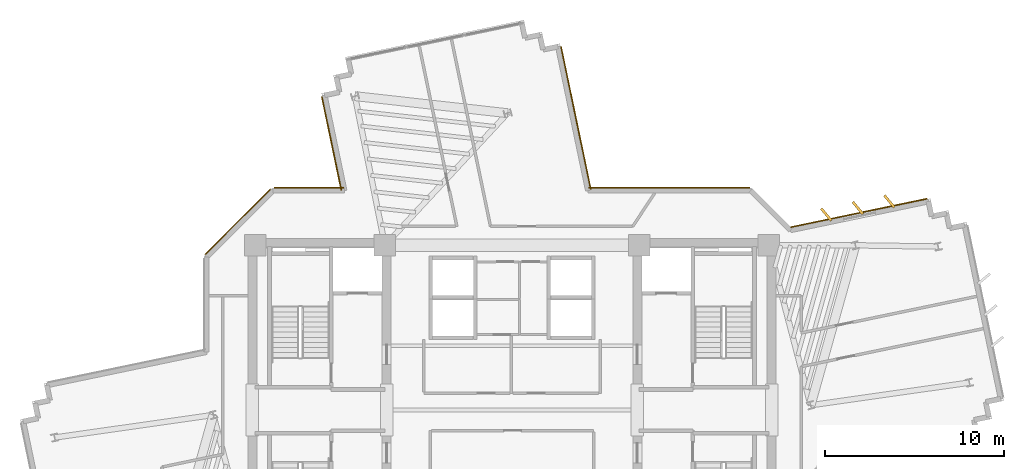
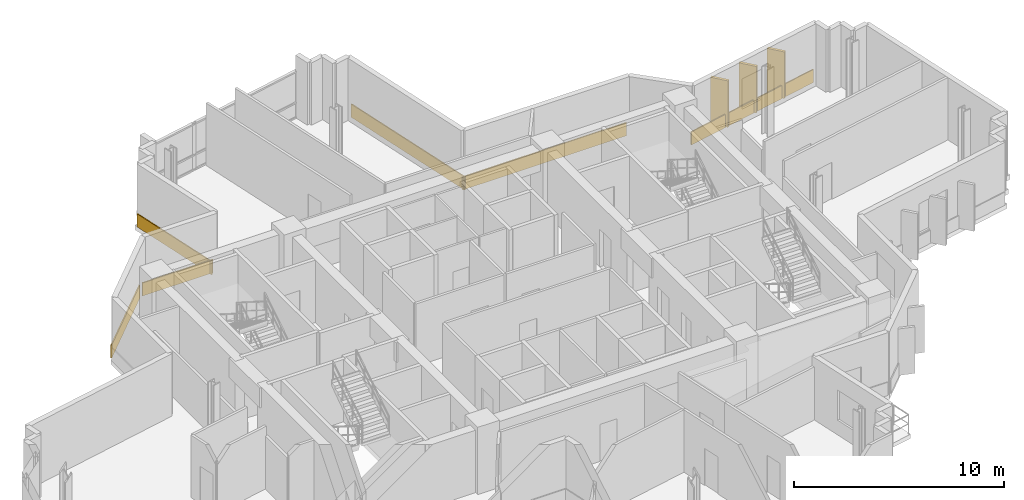
# One storey, part 14 of 14: 9 coverings.
"""IFC4 building model written with IfcOpenShell, lengths in metres."""

from ifc_helpers import new_model, si_unit, direction, frame, origin, origin_2d, place, context, subcontext, project, spatial, rectangle, extrude, source, transform, mapped, material, layer, layer_set, type_object, element, save


model = new_model("IFC4")

# Units and contexts
model_context = context("Model", 3, precision=1e-05, world=origin(), true_north=direction((0.0, 1.0)))
body_context = subcontext(model_context, "Body", "Model", "MODEL_VIEW")
ifc_project = project(units=[si_unit("LENGTHUNIT", "METRE"), si_unit("AREAUNIT", "SQUARE_METRE"), si_unit("VOLUMEUNIT", "CUBIC_METRE"), si_unit("PLANEANGLEUNIT", "RADIAN"), si_unit("MASSUNIT", "GRAM", prefix="KILO")], contexts=[model_context])

# Site, building, storey
site_placement = place(None, origin())
site = spatial("IfcSite", under=ifc_project, at=site_placement, CompositionType="ELEMENT")
building_placement = place(site_placement, origin())
building = spatial("IfcBuilding", under=site, at=building_placement, Name="Zahravan Cultural Tower", CompositionType="ELEMENT")
storey_placement = place(building_placement, frame((0.0, 0.0, 159.0)))
storey = spatial("IfcBuildingStorey", under=building, at=storey_placement, Name="L36", CompositionType="ELEMENT", Elevation=159.0)

# Coverings
ifc_material = material(Name="Terracotta ceramic cladding", Category="masonry")
ifc_layer = layer(ifc_material, 0.06005859375)
ifc_layer_set = layer_set([ifc_layer], Name="Terracotta ceramic cladding")
covering_type = type_object("IfcCoveringType", Name="COV-CLAD-TC60", PredefinedType="CLADDING", material=ifc_layer_set)
shared_shape_1 = source(origin(), body_context, "Body", "SweptSolid", [
    extrude(rectangle(XDim=5.157958984375, YDim=0.06005859375, at=origin_2d()), origin(), (0.0, 0.0, 1.0), 0.760009765625),
])
covering_1_placement = place(storey_placement, frame((20.682373046875, 37.517578125, 0.02001953125), z_axis=(0.0, 0.0, 1.0), x_axis=(0.707106781187, 0.707106781187, 0.0)))
element("IfcCovering", 1, at=covering_1_placement, inside=storey, type_object=covering_type, Name="L36 Terracotta Spandrel Cladding 39", PredefinedType="CLADDING", context=body_context, shape_type="MappedRepresentation", body=[
    mapped(shared_shape_1, transform((0.0, 0.0, 0.0), x_axis=(1.0, 0.0, 0.0), y_axis=(0.0, 1.0, 0.0), z_axis=(0.0, 0.0, 1.0), scale=1.0)),
])
shared_shape_2 = source(origin(), body_context, "Body", "SweptSolid", [
    extrude(rectangle(XDim=0.8798828125, YDim=0.139892578125, at=origin_2d()), origin(), (0.0, 0.0, 1.0), 2.699951171875),
])
for number, where, z_axis, x_axis, name in (
    (2, (53.55859375, 37.9248046875, 0.0498046875), (0.0, 0.0, 1.0), (-0.639841478951, 0.768506917219, 0.0), "L36 Herringbone Terracotta Fin 01"),
    (3, (55.32080078125, 38.292236328125, 0.0498046875), (0.0, 0.0, 1.0), (-0.639841478951, 0.768506917219, 0.0), "L36 Herringbone Terracotta Fin 02"),
    (4, (57.082763671875, 38.659912109375, 0.0498046875), (0.0, 0.0, 1.0), (-0.639841478951, 0.768506917219, 0.0), "L36 Herringbone Terracotta Fin 03"),
):
    element("IfcCovering", number, at=place(storey_placement, frame(where, z_axis=z_axis, x_axis=x_axis)), inside=storey, type_object=covering_type, Name=name, PredefinedType="CLADDING", context=body_context, shape_type="MappedRepresentation", body=[
        mapped(shared_shape_2, transform((0.0, 0.0, 0.0), x_axis=(1.0, 0.0, 0.0), y_axis=(0.0, 1.0, 0.0), z_axis=(0.0, 0.0, 1.0), scale=1.0)),
    ])
shared_shape_3 = source(origin(), body_context, "Body", "SweptSolid", [
    extrude(rectangle(XDim=7.781494140625, YDim=0.06005859375, at=origin_2d()), origin(), (0.0, 0.0, 1.0), 0.760009765625),
])
covering_2_placement = place(storey_placement, frame((55.37890625, 38.01318359375, 0.02001953125), z_axis=(0.0, 0.0, 1.0), x_axis=(0.978938711712, 0.204154350213, 0.0)))
element("IfcCovering", 5, at=covering_2_placement, inside=storey, type_object=covering_type, Name="L36 Terracotta Spandrel Cladding 01", PredefinedType="CLADDING", context=body_context, shape_type="MappedRepresentation", body=[
    mapped(shared_shape_3, transform((0.0, 0.0, 0.0), x_axis=(1.0, 0.0, 0.0), y_axis=(0.0, 1.0, 0.0), z_axis=(0.0, 0.0, 1.0), scale=1.0)),
])
shared_shape_4 = source(origin(), body_context, "Body", "SweptSolid", [
    extrude(rectangle(XDim=3.8818359375, YDim=0.06005859375, at=origin_2d()), origin(), (0.0, 0.0, 1.0), 0.760009765625),
])
covering_3_placement = place(storey_placement, frame((24.64892578125, 39.425048828125, 0.02001953125), z_axis=(0.0, 0.0, 1.0), x_axis=(1.0, 0.0, 0.0)))
element("IfcCovering", 6, at=covering_3_placement, inside=storey, type_object=covering_type, Name="L36 Terracotta Spandrel Cladding 40", PredefinedType="CLADDING", context=body_context, shape_type="MappedRepresentation", body=[
    mapped(shared_shape_4, transform((0.0, 0.0, 0.0), x_axis=(1.0, 0.0, 0.0), y_axis=(0.0, 1.0, 0.0), z_axis=(0.0, 0.0, 1.0), scale=1.0)),
])
shared_shape_5 = source(origin(), body_context, "Body", "SweptSolid", [
    extrude(rectangle(XDim=5.347412109375, YDim=0.06005859375, at=origin_2d()), origin(), (0.0, 0.0, 1.0), 0.760009765625),
])
covering_4_placement = place(storey_placement, frame((25.92236328125, 41.892578125, 0.02001953125), z_axis=(0.0, 0.0, 1.0), x_axis=(-0.204154350213, 0.978938711712, 0.0)))
element("IfcCovering", 7, at=covering_4_placement, inside=storey, type_object=covering_type, Name="L36 Terracotta Spandrel Cladding 41", PredefinedType="CLADDING", context=body_context, shape_type="MappedRepresentation", body=[
    mapped(shared_shape_5, transform((0.0, 0.0, 0.0), x_axis=(1.0, 0.0, 0.0), y_axis=(0.0, 1.0, 0.0), z_axis=(0.0, 0.0, 1.0), scale=1.0)),
])
shared_shape_6 = source(origin(), body_context, "Body", "SweptSolid", [
    extrude(rectangle(XDim=8.125244140625, YDim=0.06005859375, at=origin_2d()), origin(), (0.0, 0.0, 1.0), 0.760009765625),
])
covering_5_placement = place(storey_placement, frame((39.568359375, 43.319580078125, 0.02001953125), z_axis=(0.0, 0.0, 1.0), x_axis=(0.204154350213, -0.978938711712, 0.0)))
element("IfcCovering", 8, at=covering_5_placement, inside=storey, type_object=covering_type, Name="L36 Terracotta Spandrel Cladding 50", PredefinedType="CLADDING", context=body_context, shape_type="MappedRepresentation", body=[
    mapped(shared_shape_6, transform((0.0, 0.0, 0.0), x_axis=(1.0, 0.0, 0.0), y_axis=(0.0, 1.0, 0.0), z_axis=(0.0, 0.0, 1.0), scale=1.0)),
])
shared_shape_7 = source(origin(), body_context, "Body", "SweptSolid", [
    extrude(rectangle(XDim=8.99560546875, YDim=0.06005859375, at=origin_2d()), origin(), (0.0, 0.0, 1.0), 0.760009765625),
])
covering_6_placement = place(storey_placement, frame((44.794189453125, 39.425048828125, 0.02001953125), z_axis=(0.0, 0.0, 1.0), x_axis=(1.0, 0.0, 0.0)))
element("IfcCovering", 9, at=covering_6_placement, inside=storey, type_object=covering_type, Name="L36 Terracotta Spandrel Cladding 51", PredefinedType="CLADDING", context=body_context, shape_type="MappedRepresentation", body=[
    mapped(shared_shape_7, transform((0.0, 0.0, 0.0), x_axis=(1.0, 0.0, 0.0), y_axis=(0.0, 1.0, 0.0), z_axis=(0.0, 0.0, 1.0), scale=1.0)),
])

save(model, "model.ifc")
